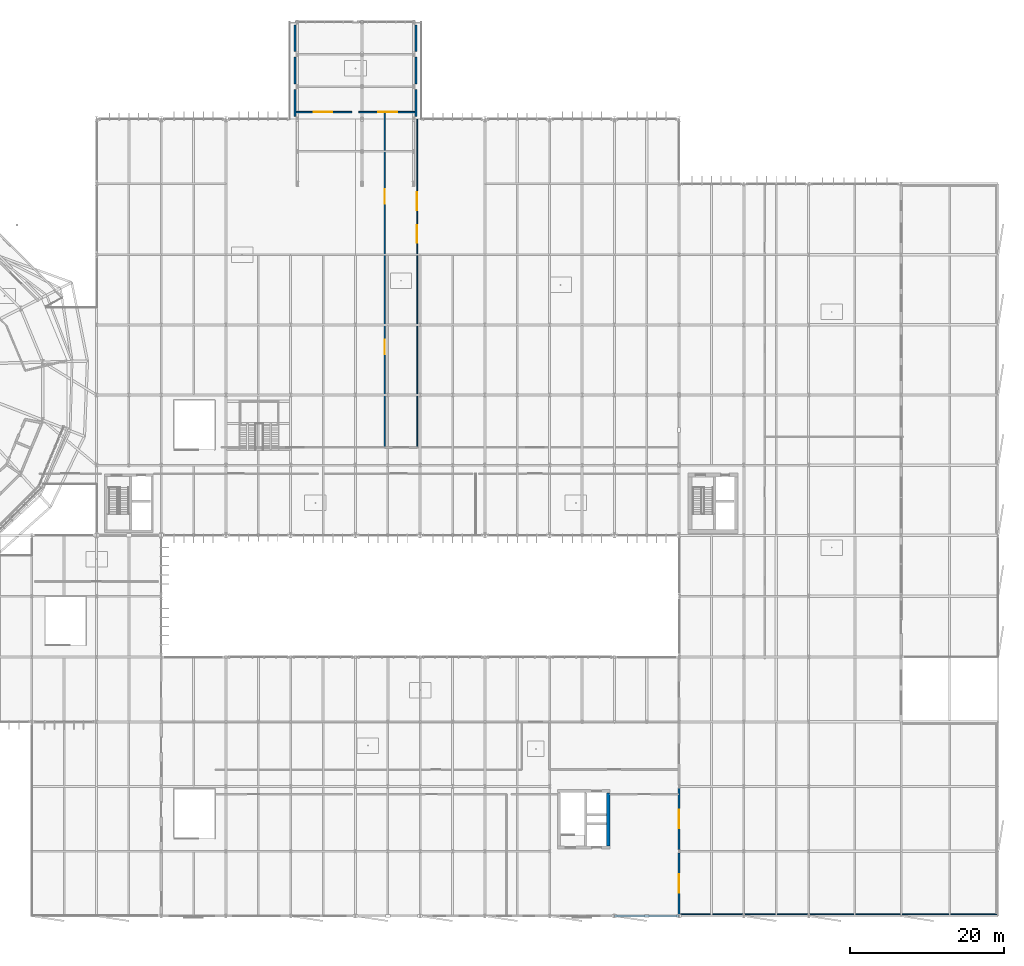
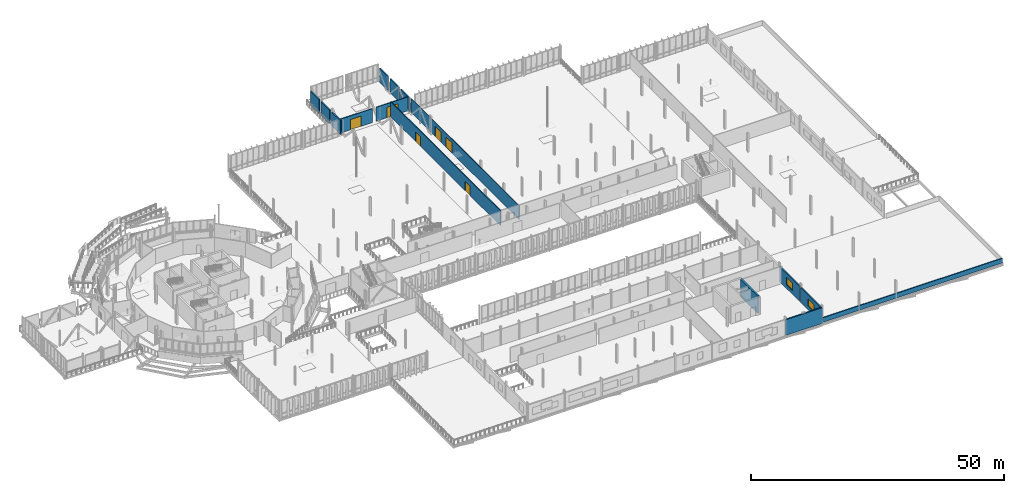
# One storey, part 106 of 139: 15 walls, 6 doors, 2 windows, 8 openings.
"""IFC4 building model written with IfcOpenShell, lengths in metres."""

from ifc_helpers import new_model, si_unit, derived_unit, direction, frame, frame_2d, origin, place, context, subcontext, project, spatial, rectangle, extrude, material, layer, layer_set, type_object, element, fill, save


model = new_model("IFC4")

# Units and contexts
model_context = context("Model", 3, precision=1e-05, world=origin(), true_north=direction((0.0, 1.0)))
body_context = subcontext(model_context, "Body", "Model", "MODEL_VIEW")
ifc_project = project(units=[si_unit("LENGTHUNIT", "METRE"), si_unit("AREAUNIT", "SQUARE_METRE"), si_unit("VOLUMEUNIT", "CUBIC_METRE"), si_unit("PLANEANGLEUNIT", "RADIAN"), si_unit("MASSUNIT", "GRAM", prefix="KILO"), derived_unit("THERMALTRANSMITTANCEUNIT", [(si_unit("MASSUNIT", "GRAM", prefix="KILO"), 1), (si_unit("TIMEUNIT", "SECOND"), -3), (si_unit("THERMODYNAMICTEMPERATUREUNIT", "KELVIN"), -1)])], contexts=[model_context])

# Site, building, storey
site_placement = place(None, origin())
site = spatial("IfcSite", under=ifc_project, at=site_placement, CompositionType="ELEMENT")
building_placement = place(site_placement, origin())
building = spatial("IfcBuilding", under=site, at=building_placement, Name="Makaiwela Harbour Ferry Terminal", CompositionType="ELEMENT")
storey_placement = place(building_placement, frame((0.0, 0.0, 5.10009765625)))
storey = spatial("IfcBuildingStorey", under=building, at=storey_placement, Name="L01", CompositionType="ELEMENT", Elevation=5.10009765625)

# Walls
ifc_material_1 = material(Name="Precast concrete f'c 40 MPa (6000 psi)", Category="concrete")
ifc_layer_1 = layer(ifc_material_1, 0.260009765625)
ifc_layer_set_1 = layer_set([ifc_layer_1], Name="Precast concrete f'c 40 MPa (6000 psi)")
wall_type_1 = type_object("IfcWallType", Name="ENV-WL-EXT260", PredefinedType="SOLIDWALL", material=ifc_layer_set_1)
for number, where, z_axis, x_axis, name in (
    (1, (88.72998046875, 103.760009765625, 0.0), (0.0, 0.0, 1.0), (0.0, 1.0, 0.0), "Exterior Wall EW-079"),
    (2, (104.469970703125, 107.239990234375, 0.0), (0.0, 0.0, 1.0), (0.0, -1.0, 0.0), "Exterior Wall EW-080"),
    (3, (88.72998046875, 107.9599609375, 0.0), (0.0, 0.0, 1.0), (0.0, 1.0, 0.0), "Exterior Wall EW-083"),
    (4, (104.469970703125, 111.43994140625, 0.0), (0.0, 0.0, 1.0), (0.0, -1.0, 0.0), "Exterior Wall EW-084"),
    (5, (88.72998046875, 112.159912109375, 0.0), (0.0, 0.0, 1.0), (0.0, 1.0, 0.0), "Exterior Wall EW-087"),
    (6, (104.469970703125, 115.639892578125, 0.0), (0.0, 0.0, 1.0), (0.0, -1.0, 0.0), "Exterior Wall EW-088"),
):
    element("IfcWall", number, at=place(storey_placement, frame(where, z_axis=z_axis, x_axis=x_axis)), inside=storey, type_object=wall_type_1, Name=name, PredefinedType="SOLIDWALL", context=body_context, shape_type="SweptSolid", body=[
        extrude(rectangle(XDim=3.47998046875, YDim=0.260009765625, at=frame_2d((1.739990234375, 0.0))), origin(), (0.0, 0.0, 1.0), 3.364013671875),
    ])
ifc_layer_2 = layer(ifc_material_1, 0.280029296875)
ifc_layer_set_2 = layer_set([ifc_layer_2], Name="Precast concrete f'c 40 MPa (6000 psi)")
wall_type_2 = type_object("IfcWallType", Name="ENV-WL-EXT280", PredefinedType="SOLIDWALL", material=ifc_layer_set_2)
wall_1_placement = place(storey_placement, frame((138.5849609375, 0.0, 0.0), z_axis=(0.0, 0.0, 1.0), x_axis=(-1.0, 0.0, 0.0)))
element("IfcWall", 7, at=wall_1_placement, inside=storey, type_object=wall_type_2, Name="Exterior Wall EW-035", PredefinedType="SOLIDWALL", context=body_context, shape_type="SweptSolid", body=[
    extrude(rectangle(XDim=8.369873046875, YDim=0.280029296875, at=frame_2d((4.18505859375, 0.0))), origin(), (0.0, 0.0, 1.0), 3.803955078125),
])

# Wall, opening, window
wall_2_placement = place(storey_placement, frame((138.60009765625, 8.1826171875, 0.0), z_axis=(0.0, 0.0, 1.0), x_axis=(0.0, -1.0, 0.0)))
wall_2 = element("IfcWall", 8, at=wall_2_placement, inside=storey, type_object=wall_type_2, Name="Exterior Wall EW-044", PredefinedType="SOLIDWALL", context=body_context, shape_type="SweptSolid", body=[
    extrude(rectangle(XDim=7.965087890625, YDim=0.280029296875, at=frame_2d((3.982421875, 0.0))), origin(), (0.0, 0.0, 1.0), 3.622802734375),
])
opening_1_placement = place(wall_2_placement, frame((2.782470703125, 0.0, 0.949951171875)))
opening_1 = element("IfcOpeningElement", 9, at=opening_1_placement, cuts=wall_2, Name="Opening W-25", PredefinedType="OPENING", context=body_context, shape_type="SweptSolid", body=[
    extrude(rectangle(XDim=2.39990234375, YDim=1.75, at=frame_2d((1.199951171875, 0.875))), frame((0.0, 0.14990234375, 0.0), z_axis=(0.0, -1.0, 0.0), x_axis=(1.0, 0.0, 0.0)), (0.0, 0.0, 1.0), 0.300048828125),
])
ifc_material_2 = material(Name="Laminated hurricane-impact low-E insulated glazing", Category="glass")
window_type = type_object("IfcWindowType", Name="ENV-WIN-25", PartitioningType="SINGLE_PANEL", PredefinedType="WINDOW", material=ifc_material_2)
window_1_placement = place(opening_1_placement, origin())
window_1 = element("IfcWindow", 10, at=window_1_placement, inside=storey, type_object=window_type, Name="Exterior Window W-25", OverallHeight=1.75, OverallWidth=2.39990234375, PartitioningType="SINGLE_PANEL", PredefinedType="WINDOW", context=body_context, shape_type="SweptSolid", body=[
    extrude(rectangle(XDim=2.39990234375, YDim=1.75, at=frame_2d((1.199951171875, 0.875))), frame((0.0, 0.030029296875, 0.0), z_axis=(0.0, -1.0, 0.0), x_axis=(1.0, 0.0, 0.0)), (0.0, 0.0, 1.0), 0.06005859375),
])
fill(opening_1, window_1)

wall_3_placement = place(storey_placement, frame((138.60009765625, 16.58251953125, 0.0), z_axis=(0.0, 0.0, 1.0), x_axis=(0.0, -1.0, 0.0)))
wall_3 = element("IfcWall", 11, at=wall_3_placement, inside=storey, type_object=wall_type_2, Name="Exterior Wall EW-046", PredefinedType="SOLIDWALL", context=body_context, shape_type="SweptSolid", body=[
    extrude(rectangle(XDim=7.965087890625, YDim=0.280029296875, at=frame_2d((3.982421875, 0.0))), origin(), (0.0, 0.0, 1.0), 3.622802734375),
])
opening_2_placement = place(wall_3_placement, frame((2.782470703125, 0.0, 0.949951171875)))
opening_2 = element("IfcOpeningElement", 12, at=opening_2_placement, cuts=wall_3, Name="Opening W-25", PredefinedType="OPENING", context=body_context, shape_type="SweptSolid", body=[
    extrude(rectangle(XDim=2.39990234375, YDim=1.75, at=frame_2d((1.199951171875, 0.875))), frame((0.0, 0.14990234375, 0.0), z_axis=(0.0, -1.0, 0.0), x_axis=(1.0, 0.0, 0.0)), (0.0, 0.0, 1.0), 0.300048828125),
])
window_2_placement = place(opening_2_placement, origin())
window_2 = element("IfcWindow", 13, at=window_2_placement, inside=storey, type_object=window_type, Name="Exterior Window W-25", OverallHeight=1.75, OverallWidth=2.39990234375, PartitioningType="SINGLE_PANEL", PredefinedType="WINDOW", context=body_context, shape_type="SweptSolid", body=[
    extrude(rectangle(XDim=2.39990234375, YDim=1.75, at=frame_2d((1.199951171875, 0.875))), frame((0.0, 0.030029296875, 0.0), z_axis=(0.0, -1.0, 0.0), x_axis=(1.0, 0.0, 0.0)), (0.0, 0.0, 1.0), 0.06005859375),
])
fill(opening_2, window_2)

# Wall
ifc_layer_3 = layer(ifc_material_1, 0.199951171875)
ifc_layer_set_3 = layer_set([ifc_layer_3], Name="Precast concrete f'c 40 MPa (6000 psi)")
wall_type_3 = type_object("IfcWallType", Name="ENV-WL-PAR200", PredefinedType="PARAPET", material=ifc_layer_set_3)
wall_4_placement = place(storey_placement, frame((138.800048828125, 0.199951171875, 0.0), z_axis=(0.0, 0.0, 1.0), x_axis=(1.0, 0.0, 0.0)))
element("IfcWall", 14, at=wall_4_placement, inside=storey, type_object=wall_type_3, Name="Roof Parapet Wall PW-001", PredefinedType="PARAPET", context=body_context, shape_type="SweptSolid", body=[
    extrude(rectangle(XDim=41.0, YDim=0.199951171875, at=frame_2d((20.5, 0.0))), origin(), (0.0, 0.0, 1.0), 1.119873046875),
])

# Wall, opening, door
ifc_material_3 = material(Name="Fire-rated gypsum board on steel studs", Category="steel")
ifc_layer_4 = layer(ifc_material_3, 0.179931640625)
ifc_layer_set_4 = layer_set([ifc_layer_4], Name="Fire-rated gypsum board on steel studs")
wall_type_4 = type_object("IfcWallType", Name="INT-WL-FIR180", PredefinedType="PARTITIONING", material=ifc_layer_set_4)
wall_5_placement = place(storey_placement, frame((88.64990234375, 104.300048828125, 0.0), z_axis=(0.0, 0.0, 1.0), x_axis=(1.0, 0.0, 0.0)))
wall_5 = element("IfcWall", 15, at=wall_5_placement, inside=storey, type_object=wall_type_4, Name="Interior Wall IW-0228", PredefinedType="PARTITIONING", context=body_context, shape_type="SweptSolid", body=[
    extrude(rectangle(XDim=7.5, YDim=0.179931640625, at=frame_2d((3.75, 0.0))), origin(), (0.0, 0.0, 1.0), 3.364013671875),
])
opening_3_placement = place(wall_5_placement, frame((2.550048828125, 0.0, 0.0)))
opening_3 = element("IfcOpeningElement", 16, at=opening_3_placement, cuts=wall_5, Name="Opening BG-01", PredefinedType="OPENING", context=body_context, shape_type="SweptSolid", body=[
    extrude(rectangle(XDim=2.39990234375, YDim=2.5, at=frame_2d((1.199951171875, 1.25))), frame((0.0, 0.099853515625, 0.0), z_axis=(0.0, -1.0, 0.0), x_axis=(1.0, 0.0, 0.0)), (0.0, 0.0, 1.0), 0.199951171875),
])
ifc_material_4 = material(Name="Marine anodised aluminium 6063-T6", Category="aluminium")
door_type_1 = type_object("IfcDoorType", Name="ENV-GT-BRD01", OperationType="NOTDEFINED", PredefinedType="GATE", material=ifc_material_4)
door_1_placement = place(opening_3_placement, origin())
door_1 = element("IfcDoor", 17, at=door_1_placement, inside=storey, type_object=door_type_1, Name="Door BG-01", OperationType="DOUBLE_DOOR_SLIDING", OverallHeight=2.5, OverallWidth=2.39990234375, PredefinedType="GATE", context=body_context, shape_type="SweptSolid", body=[
    extrude(rectangle(XDim=2.39990234375, YDim=2.5, at=frame_2d((1.199951171875, 1.25))), frame((0.0, 0.02490234375, 0.0), z_axis=(0.0, -1.0, 0.0), x_axis=(1.0, 0.0, 0.0)), (0.0, 0.0, 1.0), 0.050048828125),
])
fill(opening_3, door_1)

wall_6_placement = place(storey_placement, frame((97.050048828125, 104.300048828125, 0.0), z_axis=(0.0, 0.0, 1.0), x_axis=(1.0, 0.0, 0.0)))
wall_6 = element("IfcWall", 18, at=wall_6_placement, inside=storey, type_object=wall_type_4, Name="Interior Wall IW-0229", PredefinedType="PARTITIONING", context=body_context, shape_type="SweptSolid", body=[
    extrude(rectangle(XDim=7.5, YDim=0.179931640625, at=frame_2d((3.75, 0.0))), origin(), (0.0, 0.0, 1.0), 3.364013671875),
])
opening_4_placement = place(wall_6_placement, frame((2.5, 0.0, 0.0)))
opening_4 = element("IfcOpeningElement", 19, at=opening_4_placement, cuts=wall_6, Name="Opening BG-02", PredefinedType="OPENING", context=body_context, shape_type="SweptSolid", body=[
    extrude(rectangle(XDim=2.5, YDim=2.5, at=frame_2d((1.25, 1.25))), frame((0.0, 0.099853515625, 0.0), z_axis=(0.0, -1.0, 0.0), x_axis=(1.0, 0.0, 0.0)), (0.0, 0.0, 1.0), 0.199951171875),
])
door_type_2 = type_object("IfcDoorType", Name="ENV-GT-BRD02", OperationType="NOTDEFINED", PredefinedType="GATE", material=ifc_material_4)
door_2_placement = place(opening_4_placement, origin())
door_2 = element("IfcDoor", 20, at=door_2_placement, inside=storey, type_object=door_type_2, Name="Door BG-02", OperationType="DOUBLE_DOOR_SLIDING", OverallHeight=2.5, OverallWidth=2.5, PredefinedType="GATE", context=body_context, shape_type="SweptSolid", body=[
    extrude(rectangle(XDim=2.5, YDim=2.5, at=frame_2d((1.25, 1.25))), frame((0.0, 0.02490234375, 0.0), z_axis=(0.0, -1.0, 0.0), x_axis=(1.0, 0.0, 0.0)), (0.0, 0.0, 1.0), 0.050048828125),
])
fill(opening_4, door_2)

# Wall, openings, doors
wall_7_placement = place(storey_placement, frame((100.39990234375, 60.800048828125, 0.0), z_axis=(0.0, 0.0, 1.0), x_axis=(0.0, 1.0, 0.0)))
wall_7 = element("IfcWall", 21, at=wall_7_placement, inside=storey, type_object=wall_type_4, Name="Interior Wall IW-0505", PredefinedType="PARTITIONING", context=body_context, shape_type="SweptSolid", body=[
    extrude(rectangle(XDim=43.39990234375, YDim=0.179931640625, at=frame_2d((21.699951171875, 0.0))), origin(), (0.0, 0.0, 1.0), 3.602783203125),
])
opening_5_placement = place(wall_7_placement, frame((12.094970703125, 0.0, 0.0)))
opening_5 = element("IfcOpeningElement", 22, at=opening_5_placement, cuts=wall_7, Name="Opening D-05", PredefinedType="OPENING", context=body_context, shape_type="SweptSolid", body=[
    extrude(rectangle(XDim=1.85009765625, YDim=2.300048828125, at=frame_2d((0.925048828125, 1.14990234375))), frame((0.0, 0.099853515625, 0.0), z_axis=(0.0, -1.0, 0.0), x_axis=(1.0, 0.0, 0.0)), (0.0, 0.0, 1.0), 0.199951171875),
])
opening_6_placement = place(wall_7_placement, frame((31.625, 0.0, 0.0)))
opening_6 = element("IfcOpeningElement", 23, at=opening_6_placement, cuts=wall_7, Name="Opening D-05", PredefinedType="OPENING", context=body_context, shape_type="SweptSolid", body=[
    extrude(rectangle(XDim=1.85009765625, YDim=2.300048828125, at=frame_2d((0.925048828125, 1.14990234375))), frame((0.0, 0.099853515625, 0.0), z_axis=(0.0, -1.0, 0.0), x_axis=(1.0, 0.0, 0.0)), (0.0, 0.0, 1.0), 0.199951171875),
])
ifc_material_5 = material(Name="Insulated galvanised fire-rated steel leaf and frame", Category="steel")
door_type_3 = type_object("IfcDoorType", Name="INT-DR-COR185", OperationType="NOTDEFINED", PredefinedType="DOOR", material=ifc_material_5)
door_3_placement = place(opening_5_placement, origin())
door_3 = element("IfcDoor", 24, at=door_3_placement, inside=storey, type_object=door_type_3, Name="Door D-05", OperationType="DOUBLE_DOOR_SINGLE_SWING", OverallHeight=2.300048828125, OverallWidth=1.85009765625, PredefinedType="DOOR", context=body_context, shape_type="SweptSolid", body=[
    extrude(rectangle(XDim=1.85009765625, YDim=2.300048828125, at=frame_2d((0.925048828125, 1.14990234375))), frame((0.0, 0.02490234375, 0.0), z_axis=(0.0, -1.0, 0.0), x_axis=(1.0, 0.0, 0.0)), (0.0, 0.0, 1.0), 0.050048828125),
])
fill(opening_5, door_3)
door_4_placement = place(opening_6_placement, origin())
door_4 = element("IfcDoor", 25, at=door_4_placement, inside=storey, type_object=door_type_3, Name="Door D-05", OperationType="DOUBLE_DOOR_SINGLE_SWING", OverallHeight=2.300048828125, OverallWidth=1.85009765625, PredefinedType="DOOR", context=body_context, shape_type="SweptSolid", body=[
    extrude(rectangle(XDim=1.85009765625, YDim=2.300048828125, at=frame_2d((0.925048828125, 1.14990234375))), frame((0.0, 0.02490234375, 0.0), z_axis=(0.0, -1.0, 0.0), x_axis=(1.0, 0.0, 0.0)), (0.0, 0.0, 1.0), 0.050048828125),
])
fill(opening_6, door_4)

ifc_material_6 = material(Name="Moisture-resistant acoustic gypsum partition", Category="gypsum")
ifc_layer_5 = layer(ifc_material_6, 0.1201171875)
ifc_layer_set_5 = layer_set([ifc_layer_5], Name="Moisture-resistant acoustic gypsum partition")
wall_type_5 = type_object("IfcWallType", Name="INT-WL-PRT120", PredefinedType="PARTITIONING", material=ifc_layer_set_5)
wall_8_placement = place(storey_placement, frame((104.60009765625, 60.800048828125, 0.0), z_axis=(0.0, 0.0, 1.0), x_axis=(0.0, 1.0, 0.0)))
wall_8 = element("IfcWall", 26, at=wall_8_placement, inside=storey, type_object=wall_type_5, Name="Interior Wall IW-0506", PredefinedType="PARTITIONING", context=body_context, shape_type="SweptSolid", body=[
    extrude(rectangle(XDim=42.579833984375, YDim=0.1201171875, at=frame_2d((21.2900390625, 0.0))), origin(), (0.0, 0.0, 1.0), 3.364013671875),
])
opening_7_placement = place(wall_8_placement, frame((26.527099609375, 0.0, 0.0)))
opening_7 = element("IfcOpeningElement", 27, at=opening_7_placement, cuts=wall_8, Name="Opening D-23", PredefinedType="OPENING", context=body_context, shape_type="SweptSolid", body=[
    extrude(rectangle(XDim=2.300048828125, YDim=2.449951171875, at=frame_2d((1.14990234375, 1.22509765625))), frame((0.0, 0.070068359375, 0.0), z_axis=(0.0, -1.0, 0.0), x_axis=(1.0, 0.0, 0.0)), (0.0, 0.0, 1.0), 0.14013671875),
])
opening_8_placement = place(wall_8_placement, frame((30.784912109375, 0.0, 0.0)))
opening_8 = element("IfcOpeningElement", 28, at=opening_8_placement, cuts=wall_8, Name="Opening D-23", PredefinedType="OPENING", context=body_context, shape_type="SweptSolid", body=[
    extrude(rectangle(XDim=2.300048828125, YDim=2.449951171875, at=frame_2d((1.14990234375, 1.22509765625))), frame((0.0, 0.070068359375, 0.0), z_axis=(0.0, -1.0, 0.0), x_axis=(1.0, 0.0, 0.0)), (0.0, 0.0, 1.0), 0.14013671875),
])
ifc_material_7 = material(Name="Solid-core marine hardwood and painted steel frame", Category="steel")
door_type_4 = type_object("IfcDoorType", Name="INT-DR-CON230", OperationType="NOTDEFINED", PredefinedType="DOOR", material=ifc_material_7)
door_5_placement = place(opening_7_placement, origin())
door_5 = element("IfcDoor", 29, at=door_5_placement, inside=storey, type_object=door_type_4, Name="Door D-23", OperationType="DOUBLE_DOOR_SINGLE_SWING", OverallHeight=2.449951171875, OverallWidth=2.300048828125, PredefinedType="DOOR", context=body_context, shape_type="SweptSolid", body=[
    extrude(rectangle(XDim=2.300048828125, YDim=2.449951171875, at=frame_2d((1.14990234375, 1.22509765625))), frame((0.0, 0.02490234375, 0.0), z_axis=(0.0, -1.0, 0.0), x_axis=(1.0, 0.0, 0.0)), (0.0, 0.0, 1.0), 0.050048828125),
])
fill(opening_7, door_5)
door_6_placement = place(opening_8_placement, origin())
door_6 = element("IfcDoor", 30, at=door_6_placement, inside=storey, type_object=door_type_4, Name="Door D-23", OperationType="DOUBLE_DOOR_SINGLE_SWING", OverallHeight=2.449951171875, OverallWidth=2.300048828125, PredefinedType="DOOR", context=body_context, shape_type="SweptSolid", body=[
    extrude(rectangle(XDim=2.300048828125, YDim=2.449951171875, at=frame_2d((1.14990234375, 1.22509765625))), frame((0.0, 0.02490234375, 0.0), z_axis=(0.0, -1.0, 0.0), x_axis=(1.0, 0.0, 0.0)), (0.0, 0.0, 1.0), 0.050048828125),
])
fill(opening_8, door_6)

# Wall
ifc_material_8 = material(Name="Concrete f'c 45 MPa (6500 psi)", Category="concrete")
ifc_layer_6 = layer(ifc_material_8, 0.39990234375)
ifc_layer_set_6 = layer_set([ifc_layer_6], Name="Concrete f'c 45 MPa (6500 psi)")
wall_type_6 = type_object("IfcWallType", Name="INT-WL-SHR400", PredefinedType="SHEAR", material=ifc_layer_set_6)
wall_9_placement = place(storey_placement, frame((129.39990234375, 9.110107421875, 0.0), z_axis=(0.0, 0.0, 1.0), x_axis=(0.0, 1.0, 0.0)))
element("IfcWall", 31, at=wall_9_placement, inside=storey, type_object=wall_type_6, Name="Interior Wall IW-0224", PredefinedType="SHEAR", context=body_context, shape_type="SweptSolid", body=[
    extrude(rectangle(XDim=6.8798828125, YDim=0.39990234375, at=frame_2d((3.43994140625, 0.0))), origin(), (0.0, 0.0, 1.0), 4.219970703125),
])

save(model, "model.ifc")
